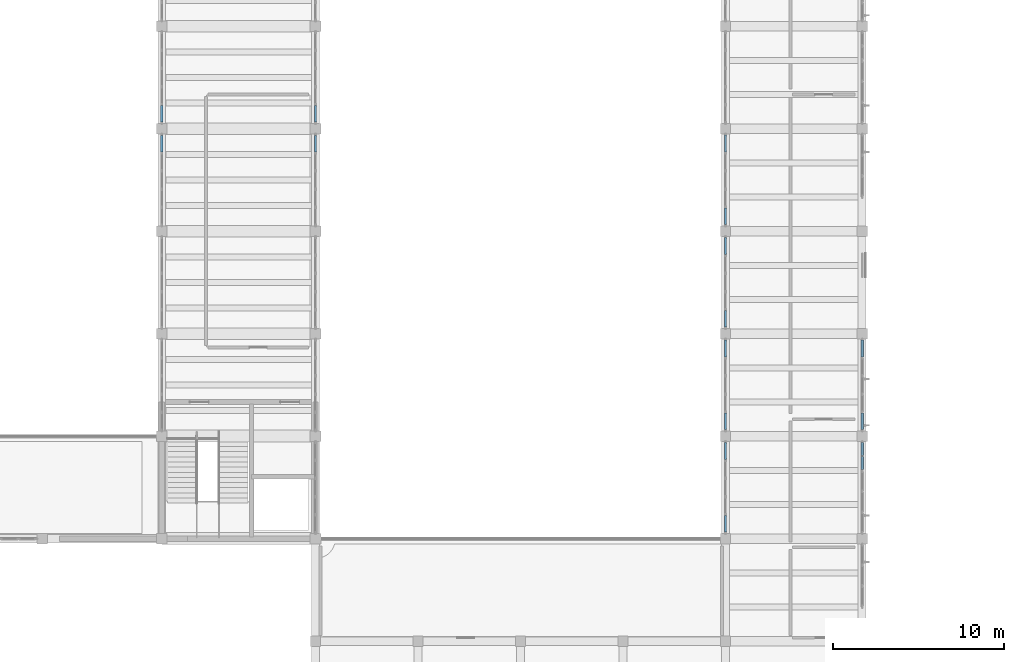
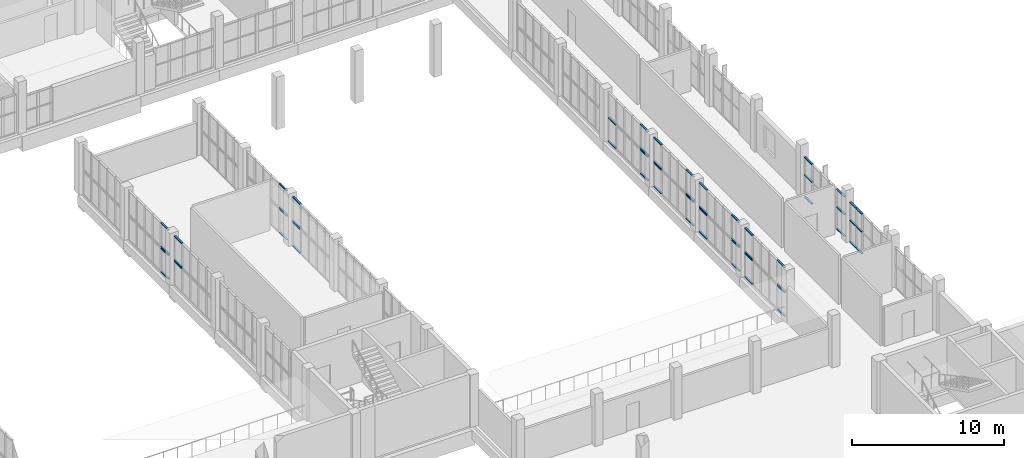
# One storey, part 35 of 85: 57 members, 18 elements without a shape of their own.
"""IFC4 building model written with IfcOpenShell, lengths in metres."""

import ifcopenshell
import ifcopenshell.guid

model = None  # the IFC model being written
_history = None  # IfcOwnerHistory: only IFC2X3 demands one
_inside = {}  # id of a spatial element -> (the spatial element, [elements in it])
_under = {}  # id of a project, library or spatial element -> (it, [spatial elements below it])
_declared = {}  # id of a project -> (the project, [libraries it declares])
_typed = {}  # id of a type object -> (the type object, [elements of that type])
_made_of = {}  # id of a material, layer set ... -> (it, [elements and type objects made of it])


def new_model(schema):
    """Start an empty IFC model of exactly this schema.

    Asked for "IFC4X3", IfcOpenShell would pick the latest addendum, in which some entities
    have other attributes; the version numbers below select the first issue.
    IFC2X3 requires an IfcOwnerHistory on every rooted entity: one is made here for all.
    """
    global model, _history
    if schema == "IFC4X3":
        model = ifcopenshell.file(schema_version=(4, 3, 0, 0))
    else:
        model = ifcopenshell.file(schema=schema)
    _inside.clear()
    _under.clear()
    _declared.clear()
    _typed.clear()
    _made_of.clear()
    _history = None
    if model.schema == "IFC2X3":
        org = make("IfcOrganization", Name="unknown")
        user = make(
            "IfcPersonAndOrganization",
            ThePerson=make("IfcPerson", FamilyName="unknown"),
            TheOrganization=org,
        )
        app = make(
            "IfcApplication",
            ApplicationDeveloper=org,
            Version="unknown",
            ApplicationFullName="unknown",
            ApplicationIdentifier="unknown",
        )
        _history = make(
            "IfcOwnerHistory",
            OwningUser=user,
            OwningApplication=app,
            ChangeAction="ADDED",
            CreationDate=0,
        )
    return model


def make(cls, **values):
    """One entity of the class cls with the attributes given. An attribute that is None is left unset."""
    return model.create_entity(
        cls, **{name: value for name, value in values.items() if value is not None}
    )


def rooted(cls, **values):
    """An entity with a GlobalId (a new one), such as an element, a storey or a relation."""
    return make(cls, GlobalId=ifcopenshell.guid.new(), OwnerHistory=_history, **values)


def si_unit(unit_type, name, prefix=None):
    """IfcSIUnit, for example si_unit("LENGTHUNIT", "METRE", prefix="MILLI")."""
    return make("IfcSIUnit", UnitType=unit_type, Prefix=prefix, Name=name)


def assignment(units):
    """IfcUnitAssignment: the units of a project."""
    return None if units is None else make("IfcUnitAssignment", Units=units)


def point(xyz):
    """IfcCartesianPoint."""
    return None if xyz is None else make("IfcCartesianPoint", Coordinates=xyz)


def direction(xyz):
    """IfcDirection."""
    return None if xyz is None else make("IfcDirection", DirectionRatios=xyz)


def frame(location, z_axis=None, x_axis=None):
    """IfcAxis2Placement3D, a coordinate frame: its origin and axes. An axis left out is left unset."""
    return make(
        "IfcAxis2Placement3D",
        Location=point(location),
        Axis=direction(z_axis),
        RefDirection=direction(x_axis),
    )


def frame_2d(location, x_axis=None):
    """IfcAxis2Placement2D, a coordinate frame in the plane: its origin and x axis."""
    return make(
        "IfcAxis2Placement2D", Location=point(location), RefDirection=direction(x_axis)
    )


def origin():
    """The frame at (0, 0, 0) with its axes left unset."""
    return frame((0.0, 0.0, 0.0))


def origin_2d():
    """The frame at (0, 0) in the plane with its x axis left unset."""
    return frame_2d((0.0, 0.0))


def place(relative_to, where):
    """IfcLocalPlacement: puts the frame where relative to a parent placement (None: the world)."""
    return make(
        "IfcLocalPlacement", PlacementRelTo=relative_to, RelativePlacement=where
    )


def context(
    kind, dimensions, precision=None, world=None, true_north=None, identifier=None
):
    """IfcGeometricRepresentationContext, for example the 3D "Model" context."""
    return make(
        "IfcGeometricRepresentationContext",
        ContextIdentifier=identifier,
        ContextType=kind,
        CoordinateSpaceDimension=dimensions,
        Precision=precision,
        WorldCoordinateSystem=world,
        TrueNorth=true_north,
    )


def subcontext(parent, identifier, kind, view, scale=None):
    """IfcGeometricRepresentationSubContext, for example "Body" below "Model"."""
    return make(
        "IfcGeometricRepresentationSubContext",
        ContextIdentifier=identifier,
        ContextType=kind,
        ParentContext=parent,
        TargetScale=scale,
        TargetView=view,
    )


def project(units=None, contexts=None):
    """IfcProject with its units and contexts."""
    return rooted(
        "IfcProject",
        Name="project",
        RepresentationContexts=contexts,
        UnitsInContext=assignment(units),
    )


def spatial(cls, under=None, at=None, **own):
    """A site, building, storey or space (cls), placed at a placement, below another one or the project."""
    s = rooted(cls, ObjectPlacement=at, **own)
    if under is not None:
        _under.setdefault(under.id(), (under, []))[1].append(s)
    return s


def profile(cls, at=None, kind="AREA", **sizes):
    """A parametric profile (cls). Its sizes go by their IFC names, for example OverallWidth=200.0."""
    return make(cls, ProfileType=kind, Position=at, **sizes)


def rectangle(**sizes):
    """IfcRectangleProfileDef."""
    return profile("IfcRectangleProfileDef", **sizes)


def extrude(swept, where, along, depth):
    """IfcExtrudedAreaSolid: the profile swept, set in the frame where, extruded along a direction by depth."""
    return make(
        "IfcExtrudedAreaSolid",
        SweptArea=swept,
        Position=where,
        ExtrudedDirection=direction(along),
        Depth=depth,
    )


def shape(context_of_items, identifier, shape_type, items):
    """IfcShapeRepresentation: the items that make up one representation, for example the "Body"."""
    return make(
        "IfcShapeRepresentation",
        ContextOfItems=context_of_items,
        RepresentationIdentifier=identifier,
        RepresentationType=shape_type,
        Items=items,
    )


def material(Name=None, Category=None):
    """IfcMaterial."""
    return make("IfcMaterial", Name=Name, Category=Category)


def layer(
    of_material, thickness, ventilated=None, Name=None, Category=None, Priority=None
):
    """IfcMaterialLayer: one layer of a wall or slab, of a material (None: an air gap)."""
    return make(
        "IfcMaterialLayer",
        Material=of_material,
        LayerThickness=thickness,
        IsVentilated=ventilated,
        Name=Name,
        Category=Category,
        Priority=Priority,
    )


def layer_set(layers, Name=None):
    """IfcMaterialLayerSet."""
    return make("IfcMaterialLayerSet", MaterialLayers=layers, LayerSetName=Name)


def material_profile(
    of_material, cross_section, Name=None, Category=None, Priority=None
):
    """IfcMaterialProfile: a cross section and its material."""
    return make(
        "IfcMaterialProfile",
        Name=Name,
        Material=of_material,
        Profile=cross_section,
        Priority=Priority,
        Category=Category,
    )


def profile_set(profiles, Name=None, composite=None):
    """IfcMaterialProfileSet."""
    return make(
        "IfcMaterialProfileSet",
        Name=Name,
        MaterialProfiles=profiles,
        CompositeProfile=composite,
    )


def made_of(thing, what):
    """Note that an element or type object is made of a material, layer set ...; save() writes the relation."""
    if what is not None:
        _made_of.setdefault(what.id(), (what, []))[1].append(thing)
    return thing


def type_object(cls, material=None, **own):
    """A type object (cls), such as IfcWallType, which elements share."""
    return made_of(rooted(cls, **own), material)


def element(
    cls,
    number,
    at=None,
    inside=None,
    cuts=None,
    type_object=None,
    material=None,
    context=None,
    identifier="Body",
    shape_type=None,
    held_by="IfcProductDefinitionShape",
    body=None,
    shapes=None,
    **own,
):
    """One element of the class cls, such as IfcWall. Its Tag is "e" and its number.

    at: its placement. inside: the storey or other place that contains it. cuts: it is an
    opening in that element (IfcRelVoidsElement). A single representation is given by context,
    identifier, shape_type and body (its items); several are given by shapes. held_by: the class
    of the entity that holds the representations. save() writes the other relations.
    """
    e = rooted(cls, Tag="e%d" % number, ObjectPlacement=at, **own)
    if body is not None:
        shapes = [shape(context, identifier, shape_type, body)]
    if shapes is not None:
        e.Representation = make(held_by, Representations=shapes)
    if inside is not None:
        _inside.setdefault(inside.id(), (inside, []))[1].append(e)
    if cuts is not None:
        rooted(
            "IfcRelVoidsElement", RelatingBuildingElement=cuts, RelatedOpeningElement=e
        )
    if type_object is not None:
        _typed.setdefault(type_object.id(), (type_object, []))[1].append(e)
    return made_of(e, material)


def aggregate(whole, parts):
    """IfcRelAggregates: a whole, such as a stair, and the parts it consists of."""
    return rooted("IfcRelAggregates", RelatingObject=whole, RelatedObjects=parts)


def save(model, path):
    """Write the relations noted so far, then the file.

    IfcRelAggregates (storeys below a building ...), IfcRelContainedInSpatialStructure (elements
    in a storey), IfcRelDefinesByType, IfcRelAssociatesMaterial and IfcRelDeclares: one each for
    every whole, place, type object, material and project.
    """
    for whole, parts in _under.values():
        aggregate(whole, parts)
    for where, things in _inside.values():
        rooted(
            "IfcRelContainedInSpatialStructure",
            RelatedElements=things,
            RelatingStructure=where,
        )
    for kind, things in _typed.values():
        rooted("IfcRelDefinesByType", RelatedObjects=things, RelatingType=kind)
    for what, things in _made_of.values():
        rooted("IfcRelAssociatesMaterial", RelatedObjects=things, RelatingMaterial=what)
    for by, libraries in _declared.values():
        rooted("IfcRelDeclares", RelatingContext=by, RelatedDefinitions=libraries)
    model.write(path)


model = new_model("IFC4")

# Units and contexts
model_context = context("Model", 3, precision=1e-05, world=origin(), true_north=direction((0.0, 1.0)))
body_context = subcontext(model_context, "Body", "Model", "MODEL_VIEW")
ifc_project = project(units=[si_unit("LENGTHUNIT", "METRE"), si_unit("AREAUNIT", "SQUARE_METRE"), si_unit("VOLUMEUNIT", "CUBIC_METRE"), si_unit("PLANEANGLEUNIT", "RADIAN"), si_unit("MASSUNIT", "GRAM", prefix="KILO")], contexts=[model_context])

# Site, building, storey
site_placement = place(None, origin())
site = spatial("IfcSite", under=ifc_project, at=site_placement, CompositionType="ELEMENT")
building_placement = place(site_placement, origin())
building = spatial("IfcBuilding", under=site, at=building_placement, Name="Solvane Community Centre", CompositionType="ELEMENT")
storey_placement = place(building_placement, frame((0.0, 0.0, 5.39990234375)))
storey = spatial("IfcBuildingStorey", under=building, at=storey_placement, Name="L01", CompositionType="ELEMENT", Elevation=5.39990234375)

# Curtain wall, members
ifc_material = material(Name="Anodised bronze aluminium AW-6063 T6", Category="aluminium")
ifc_layer_1 = layer(ifc_material, 0.18994140625)
ifc_layer_set_1 = layer_set([ifc_layer_1], Name="Anodised bronze aluminium AW-6063 T6")
curtain_wall_type_1 = type_object("IfcCurtainWallType", Name="Boulevard Bronze Vision Curtain Wall [54x32dm]", PredefinedType="NOTDEFINED", material=ifc_layer_set_1)
curtain_wall_1_placement = place(storey_placement, origin())
curtain_wall_1 = element("IfcCurtainWall", 1, at=curtain_wall_1_placement, inside=storey, type_object=curtain_wall_type_1, Name="Curtain Wall CW-L01-680_537-107", PredefinedType="NOTDEFINED")
ifc_material_profile_1 = material_profile(ifc_material, rectangle(XDim=0.14990234375, YDim=0.06005859375, at=origin_2d()), Name="CW-T 60x150")
ifc_profile_set_1 = profile_set([ifc_material_profile_1], Name="Anodised bronze aluminium AW-6063 T6")
member_type_1 = type_object("IfcMemberType", Name="Boulevard Transom 60x150", PredefinedType="USERDEFINED", material=ifc_profile_set_1)
member_1_placement = place(storey_placement, frame((68.0, 53.6201171875, 0.030029296875), z_axis=(0.0, -1.0, 0.0), x_axis=(1.0, 0.0, 0.0)))
member_1 = element("IfcMember", 2, at=member_1_placement, type_object=member_type_1, Name="CW02-54x32 transom 1.1", ObjectType="TRANSOM", PredefinedType="USERDEFINED", context=body_context, shape_type="SweptSolid", body=[
    extrude(rectangle(XDim=0.14990234375, YDim=0.06005859375, at=origin_2d()), origin(), (0.0, 0.0, 1.0), 0.982177734375),
])
member_2_placement = place(storey_placement, frame((68.0, 53.6201171875, 1.78515625), z_axis=(0.0, -1.0, 0.0), x_axis=(1.0, 0.0, 0.0)))
member_2 = element("IfcMember", 3, at=member_2_placement, type_object=member_type_1, Name="CW02-54x32 transom 1.2", ObjectType="TRANSOM", PredefinedType="USERDEFINED", context=body_context, shape_type="SweptSolid", body=[
    extrude(rectangle(XDim=0.14990234375, YDim=0.06005859375, at=origin_2d()), origin(), (0.0, 0.0, 1.0), 0.982177734375),
])
member_3_placement = place(storey_placement, frame((68.0, 53.6201171875, 3.215087890625), z_axis=(0.0, -1.0, 0.0), x_axis=(1.0, 0.0, 0.0)))
member_3 = element("IfcMember", 4, at=member_3_placement, type_object=member_type_1, Name="CW02-54x32 transom 1.3", ObjectType="TRANSOM", PredefinedType="USERDEFINED", context=body_context, shape_type="SweptSolid", body=[
    extrude(rectangle(XDim=0.14990234375, YDim=0.06005859375, at=origin_2d()), origin(), (0.0, 0.0, 1.0), 0.982177734375),
])
member_4_placement = place(storey_placement, frame((68.0, 49.362060546875, 0.030029296875), z_axis=(0.0, -1.0, 0.0), x_axis=(1.0, 0.0, 0.0)))
member_4 = element("IfcMember", 5, at=member_4_placement, type_object=member_type_1, Name="CW02-54x32 transom 5.1", ObjectType="TRANSOM", PredefinedType="USERDEFINED", context=body_context, shape_type="SweptSolid", body=[
    extrude(rectangle(XDim=0.14990234375, YDim=0.06005859375, at=origin_2d()), origin(), (0.0, 0.0, 1.0), 0.982177734375),
])
member_5_placement = place(storey_placement, frame((68.0, 49.362060546875, 1.78515625), z_axis=(0.0, -1.0, 0.0), x_axis=(1.0, 0.0, 0.0)))
member_5 = element("IfcMember", 6, at=member_5_placement, type_object=member_type_1, Name="CW02-54x32 transom 5.2", ObjectType="TRANSOM", PredefinedType="USERDEFINED", context=body_context, shape_type="SweptSolid", body=[
    extrude(rectangle(XDim=0.14990234375, YDim=0.06005859375, at=origin_2d()), origin(), (0.0, 0.0, 1.0), 0.982177734375),
])
member_6_placement = place(storey_placement, frame((68.0, 49.362060546875, 3.215087890625), z_axis=(0.0, -1.0, 0.0), x_axis=(1.0, 0.0, 0.0)))
member_6 = element("IfcMember", 7, at=member_6_placement, type_object=member_type_1, Name="CW02-54x32 transom 5.3", ObjectType="TRANSOM", PredefinedType="USERDEFINED", context=body_context, shape_type="SweptSolid", body=[
    extrude(rectangle(XDim=0.14990234375, YDim=0.06005859375, at=origin_2d()), origin(), (0.0, 0.0, 1.0), 0.982177734375),
])
aggregate(curtain_wall_1, [member_1, member_2, member_3, member_4, member_5, member_6])

ifc_layer_2 = layer(ifc_material, 0.18994140625)
ifc_layer_set_2 = layer_set([ifc_layer_2], Name="Anodised bronze aluminium AW-6063 T6")
curtain_wall_type_2 = type_object("IfcCurtainWallType", Name="Boulevard Bronze Vision Curtain Wall [17x32dm]", PredefinedType="NOTDEFINED", material=ifc_layer_set_2)
curtain_wall_2_placement = place(storey_placement, origin())
curtain_wall_2 = element("IfcCurtainWall", 8, at=curtain_wall_2_placement, inside=storey, type_object=curtain_wall_type_2, Name="Curtain Wall CW-L01-680_477-108", PredefinedType="NOTDEFINED")
member_7_placement = place(storey_placement, frame((68.0, 47.6201171875, 0.030029296875), z_axis=(0.0, -1.0, 0.0), x_axis=(1.0, 0.0, 0.0)))
member_7 = element("IfcMember", 9, at=member_7_placement, type_object=member_type_1, Name="CW02-17x32 transom 1.1", ObjectType="TRANSOM", PredefinedType="USERDEFINED", context=body_context, shape_type="SweptSolid", body=[
    extrude(rectangle(XDim=0.14990234375, YDim=0.06005859375, at=origin_2d()), origin(), (0.0, 0.0, 1.0), 0.75),
])
member_8_placement = place(storey_placement, frame((68.0, 47.6201171875, 1.78515625), z_axis=(0.0, -1.0, 0.0), x_axis=(1.0, 0.0, 0.0)))
member_8 = element("IfcMember", 10, at=member_8_placement, type_object=member_type_1, Name="CW02-17x32 transom 1.2", ObjectType="TRANSOM", PredefinedType="USERDEFINED", context=body_context, shape_type="SweptSolid", body=[
    extrude(rectangle(XDim=0.14990234375, YDim=0.06005859375, at=origin_2d()), origin(), (0.0, 0.0, 1.0), 0.75),
])
member_9_placement = place(storey_placement, frame((68.0, 47.6201171875, 3.215087890625), z_axis=(0.0, -1.0, 0.0), x_axis=(1.0, 0.0, 0.0)))
member_9 = element("IfcMember", 11, at=member_9_placement, type_object=member_type_1, Name="CW02-17x32 transom 1.3", ObjectType="TRANSOM", PredefinedType="USERDEFINED", context=body_context, shape_type="SweptSolid", body=[
    extrude(rectangle(XDim=0.14990234375, YDim=0.06005859375, at=origin_2d()), origin(), (0.0, 0.0, 1.0), 0.75),
])
member_10_placement = place(storey_placement, frame((68.0, 46.81005859375, 0.030029296875), z_axis=(0.0, -1.0, 0.0), x_axis=(1.0, 0.0, 0.0)))
member_10 = element("IfcMember", 12, at=member_10_placement, type_object=member_type_1, Name="CW02-17x32 transom 2.1", ObjectType="TRANSOM", PredefinedType="USERDEFINED", context=body_context, shape_type="SweptSolid", body=[
    extrude(rectangle(XDim=0.14990234375, YDim=0.06005859375, at=origin_2d()), origin(), (0.0, 0.0, 1.0), 0.75),
])
member_11_placement = place(storey_placement, frame((68.0, 46.81005859375, 1.78515625), z_axis=(0.0, -1.0, 0.0), x_axis=(1.0, 0.0, 0.0)))
member_11 = element("IfcMember", 13, at=member_11_placement, type_object=member_type_1, Name="CW02-17x32 transom 2.2", ObjectType="TRANSOM", PredefinedType="USERDEFINED", context=body_context, shape_type="SweptSolid", body=[
    extrude(rectangle(XDim=0.14990234375, YDim=0.06005859375, at=origin_2d()), origin(), (0.0, 0.0, 1.0), 0.75),
])
member_12_placement = place(storey_placement, frame((68.0, 46.81005859375, 3.215087890625), z_axis=(0.0, -1.0, 0.0), x_axis=(1.0, 0.0, 0.0)))
member_12 = element("IfcMember", 14, at=member_12_placement, type_object=member_type_1, Name="CW02-17x32 transom 2.3", ObjectType="TRANSOM", PredefinedType="USERDEFINED", context=body_context, shape_type="SweptSolid", body=[
    extrude(rectangle(XDim=0.14990234375, YDim=0.06005859375, at=origin_2d()), origin(), (0.0, 0.0, 1.0), 0.75),
])
aggregate(curtain_wall_2, [member_7, member_8, member_9, member_10, member_11, member_12])

ifc_layer_3 = layer(ifc_material, 0.179931640625)
ifc_layer_set_3 = layer_set([ifc_layer_3], Name="Anodised bronze aluminium AW-6063 T6")
curtain_wall_type_3 = type_object("IfcCurtainWallType", Name="Hall Translucent Upper Curtain Wall [54x19dm]", PredefinedType="NOTDEFINED", material=ifc_layer_set_3)
curtain_wall_3_placement = place(storey_placement, origin())
curtain_wall_3 = element("IfcCurtainWall", 15, at=curtain_wall_3_placement, inside=storey, type_object=curtain_wall_type_3, Name="Curtain Wall CW-L01-600_477-033", PredefinedType="NOTDEFINED")
ifc_material_profile_2 = material_profile(ifc_material, rectangle(XDim=0.139892578125, YDim=0.06005859375, at=origin_2d()), Name="CW-T 60x140")
ifc_profile_set_2 = profile_set([ifc_material_profile_2], Name="Anodised bronze aluminium AW-6063 T6")
member_type_2 = type_object("IfcMemberType", Name="Hall Transom 60x140", PredefinedType="USERDEFINED", material=ifc_profile_set_2)
member_13_placement = place(storey_placement, frame((60.0, 47.6201171875, 0.030029296875), z_axis=(0.0, -1.0, 0.0), x_axis=(1.0, 0.0, 0.0)))
member_13 = element("IfcMember", 16, at=member_13_placement, type_object=member_type_2, Name="CW01-54x19 transom 1.1", ObjectType="TRANSOM", PredefinedType="USERDEFINED", context=body_context, shape_type="SweptSolid", body=[
    extrude(rectangle(XDim=0.139892578125, YDim=0.06005859375, at=origin_2d()), origin(), (0.0, 0.0, 1.0), 0.982177734375),
])
member_14_placement = place(storey_placement, frame((60.0, 47.6201171875, 1.920166015625), z_axis=(0.0, -1.0, 0.0), x_axis=(1.0, 0.0, 0.0)))
member_14 = element("IfcMember", 17, at=member_14_placement, type_object=member_type_2, Name="CW01-54x19 transom 1.2", ObjectType="TRANSOM", PredefinedType="USERDEFINED", context=body_context, shape_type="SweptSolid", body=[
    extrude(rectangle(XDim=0.139892578125, YDim=0.06005859375, at=origin_2d()), origin(), (0.0, 0.0, 1.0), 0.982177734375),
])
member_15_placement = place(storey_placement, frame((60.0, 43.362060546875, 0.030029296875), z_axis=(0.0, -1.0, 0.0), x_axis=(1.0, 0.0, 0.0)))
member_15 = element("IfcMember", 18, at=member_15_placement, type_object=member_type_2, Name="CW01-54x19 transom 5.1", ObjectType="TRANSOM", PredefinedType="USERDEFINED", context=body_context, shape_type="SweptSolid", body=[
    extrude(rectangle(XDim=0.139892578125, YDim=0.06005859375, at=origin_2d()), origin(), (0.0, 0.0, 1.0), 0.982177734375),
])
member_16_placement = place(storey_placement, frame((60.0, 43.362060546875, 1.920166015625), z_axis=(0.0, -1.0, 0.0), x_axis=(1.0, 0.0, 0.0)))
member_16 = element("IfcMember", 19, at=member_16_placement, type_object=member_type_2, Name="CW01-54x19 transom 5.2", ObjectType="TRANSOM", PredefinedType="USERDEFINED", context=body_context, shape_type="SweptSolid", body=[
    extrude(rectangle(XDim=0.139892578125, YDim=0.06005859375, at=origin_2d()), origin(), (0.0, 0.0, 1.0), 0.982177734375),
])
aggregate(curtain_wall_3, [member_13, member_14, member_15, member_16])

ifc_layer_4 = layer(ifc_material, 0.179931640625)
ifc_layer_set_4 = layer_set([ifc_layer_4], Name="Anodised bronze aluminium AW-6063 T6")
curtain_wall_type_4 = type_object("IfcCurtainWallType", Name="Hall Translucent Upper Curtain Wall [54x20dm]", PredefinedType="NOTDEFINED", material=ifc_layer_set_4)
curtain_wall_4_placement = place(storey_placement, origin())
curtain_wall_4 = element("IfcCurtainWall", 20, at=curtain_wall_4_placement, inside=storey, type_object=curtain_wall_type_4, Name="Curtain Wall CW-L01-600_477-034", PredefinedType="NOTDEFINED")
member_17_placement = place(storey_placement, frame((60.0, 47.6201171875, 2.050048828125), z_axis=(0.0, -1.0, 0.0), x_axis=(1.0, 0.0, 0.0)))
member_17 = element("IfcMember", 21, at=member_17_placement, type_object=member_type_2, Name="CW01-54x20 transom 1.1", ObjectType="TRANSOM", PredefinedType="USERDEFINED", context=body_context, shape_type="SweptSolid", body=[
    extrude(rectangle(XDim=0.139892578125, YDim=0.06005859375, at=origin_2d()), origin(), (0.0, 0.0, 1.0), 0.982177734375),
])
member_18_placement = place(storey_placement, frame((60.0, 47.6201171875, 3.9501953125), z_axis=(0.0, -1.0, 0.0), x_axis=(1.0, 0.0, 0.0)))
member_18 = element("IfcMember", 22, at=member_18_placement, type_object=member_type_2, Name="CW01-54x20 transom 1.2", ObjectType="TRANSOM", PredefinedType="USERDEFINED", context=body_context, shape_type="SweptSolid", body=[
    extrude(rectangle(XDim=0.139892578125, YDim=0.06005859375, at=origin_2d()), origin(), (0.0, 0.0, 1.0), 0.982177734375),
])
member_19_placement = place(storey_placement, frame((60.0, 43.362060546875, 2.050048828125), z_axis=(0.0, -1.0, 0.0), x_axis=(1.0, 0.0, 0.0)))
member_19 = element("IfcMember", 23, at=member_19_placement, type_object=member_type_2, Name="CW01-54x20 transom 5.1", ObjectType="TRANSOM", PredefinedType="USERDEFINED", context=body_context, shape_type="SweptSolid", body=[
    extrude(rectangle(XDim=0.139892578125, YDim=0.06005859375, at=origin_2d()), origin(), (0.0, 0.0, 1.0), 0.982177734375),
])
member_20_placement = place(storey_placement, frame((60.0, 43.362060546875, 3.9501953125), z_axis=(0.0, -1.0, 0.0), x_axis=(1.0, 0.0, 0.0)))
member_20 = element("IfcMember", 24, at=member_20_placement, type_object=member_type_2, Name="CW01-54x20 transom 5.2", ObjectType="TRANSOM", PredefinedType="USERDEFINED", context=body_context, shape_type="SweptSolid", body=[
    extrude(rectangle(XDim=0.139892578125, YDim=0.06005859375, at=origin_2d()), origin(), (0.0, 0.0, 1.0), 0.982177734375),
])
aggregate(curtain_wall_4, [member_17, member_18, member_19, member_20])

curtain_wall_5_placement = place(storey_placement, origin())
curtain_wall_5 = element("IfcCurtainWall", 25, at=curtain_wall_5_placement, inside=storey, type_object=curtain_wall_type_3, Name="Curtain Wall CW-L01-600_537-037", PredefinedType="NOTDEFINED")
member_21_placement = place(storey_placement, frame((60.0, 53.6201171875, 0.030029296875), z_axis=(0.0, -1.0, 0.0), x_axis=(1.0, 0.0, 0.0)))
member_21 = element("IfcMember", 26, at=member_21_placement, type_object=member_type_2, Name="CW01-54x19 transom 1.1", ObjectType="TRANSOM", PredefinedType="USERDEFINED", context=body_context, shape_type="SweptSolid", body=[
    extrude(rectangle(XDim=0.139892578125, YDim=0.06005859375, at=origin_2d()), origin(), (0.0, 0.0, 1.0), 0.982177734375),
])
member_22_placement = place(storey_placement, frame((60.0, 53.6201171875, 1.920166015625), z_axis=(0.0, -1.0, 0.0), x_axis=(1.0, 0.0, 0.0)))
member_22 = element("IfcMember", 27, at=member_22_placement, type_object=member_type_2, Name="CW01-54x19 transom 1.2", ObjectType="TRANSOM", PredefinedType="USERDEFINED", context=body_context, shape_type="SweptSolid", body=[
    extrude(rectangle(XDim=0.139892578125, YDim=0.06005859375, at=origin_2d()), origin(), (0.0, 0.0, 1.0), 0.982177734375),
])
member_23_placement = place(storey_placement, frame((60.0, 49.362060546875, 0.030029296875), z_axis=(0.0, -1.0, 0.0), x_axis=(1.0, 0.0, 0.0)))
member_23 = element("IfcMember", 28, at=member_23_placement, type_object=member_type_2, Name="CW01-54x19 transom 5.1", ObjectType="TRANSOM", PredefinedType="USERDEFINED", context=body_context, shape_type="SweptSolid", body=[
    extrude(rectangle(XDim=0.139892578125, YDim=0.06005859375, at=origin_2d()), origin(), (0.0, 0.0, 1.0), 0.982177734375),
])
member_24_placement = place(storey_placement, frame((60.0, 49.362060546875, 1.920166015625), z_axis=(0.0, -1.0, 0.0), x_axis=(1.0, 0.0, 0.0)))
member_24 = element("IfcMember", 29, at=member_24_placement, type_object=member_type_2, Name="CW01-54x19 transom 5.2", ObjectType="TRANSOM", PredefinedType="USERDEFINED", context=body_context, shape_type="SweptSolid", body=[
    extrude(rectangle(XDim=0.139892578125, YDim=0.06005859375, at=origin_2d()), origin(), (0.0, 0.0, 1.0), 0.982177734375),
])
aggregate(curtain_wall_5, [member_21, member_22, member_23, member_24])

curtain_wall_6_placement = place(storey_placement, origin())
curtain_wall_6 = element("IfcCurtainWall", 30, at=curtain_wall_6_placement, inside=storey, type_object=curtain_wall_type_4, Name="Curtain Wall CW-L01-600_537-038", PredefinedType="NOTDEFINED")
member_25_placement = place(storey_placement, frame((60.0, 53.6201171875, 2.050048828125), z_axis=(0.0, -1.0, 0.0), x_axis=(1.0, 0.0, 0.0)))
member_25 = element("IfcMember", 31, at=member_25_placement, type_object=member_type_2, Name="CW01-54x20 transom 1.1", ObjectType="TRANSOM", PredefinedType="USERDEFINED", context=body_context, shape_type="SweptSolid", body=[
    extrude(rectangle(XDim=0.139892578125, YDim=0.06005859375, at=origin_2d()), origin(), (0.0, 0.0, 1.0), 0.982177734375),
])
member_26_placement = place(storey_placement, frame((60.0, 53.6201171875, 3.9501953125), z_axis=(0.0, -1.0, 0.0), x_axis=(1.0, 0.0, 0.0)))
member_26 = element("IfcMember", 32, at=member_26_placement, type_object=member_type_2, Name="CW01-54x20 transom 1.2", ObjectType="TRANSOM", PredefinedType="USERDEFINED", context=body_context, shape_type="SweptSolid", body=[
    extrude(rectangle(XDim=0.139892578125, YDim=0.06005859375, at=origin_2d()), origin(), (0.0, 0.0, 1.0), 0.982177734375),
])
member_27_placement = place(storey_placement, frame((60.0, 49.362060546875, 2.050048828125), z_axis=(0.0, -1.0, 0.0), x_axis=(1.0, 0.0, 0.0)))
member_27 = element("IfcMember", 33, at=member_27_placement, type_object=member_type_2, Name="CW01-54x20 transom 5.1", ObjectType="TRANSOM", PredefinedType="USERDEFINED", context=body_context, shape_type="SweptSolid", body=[
    extrude(rectangle(XDim=0.139892578125, YDim=0.06005859375, at=origin_2d()), origin(), (0.0, 0.0, 1.0), 0.982177734375),
])
member_28_placement = place(storey_placement, frame((60.0, 49.362060546875, 3.9501953125), z_axis=(0.0, -1.0, 0.0), x_axis=(1.0, 0.0, 0.0)))
member_28 = element("IfcMember", 34, at=member_28_placement, type_object=member_type_2, Name="CW01-54x20 transom 5.2", ObjectType="TRANSOM", PredefinedType="USERDEFINED", context=body_context, shape_type="SweptSolid", body=[
    extrude(rectangle(XDim=0.139892578125, YDim=0.06005859375, at=origin_2d()), origin(), (0.0, 0.0, 1.0), 0.982177734375),
])
aggregate(curtain_wall_6, [member_25, member_26, member_27, member_28])

curtain_wall_7_placement = place(storey_placement, origin())
curtain_wall_7 = element("IfcCurtainWall", 35, at=curtain_wall_7_placement, inside=storey, type_object=curtain_wall_type_3, Name="Curtain Wall CW-L01-600_597-045", PredefinedType="NOTDEFINED")
member_29_placement = place(storey_placement, frame((60.0, 59.6201171875, 0.030029296875), z_axis=(0.0, -1.0, 0.0), x_axis=(1.0, 0.0, 0.0)))
member_29 = element("IfcMember", 36, at=member_29_placement, type_object=member_type_2, Name="CW01-54x19 transom 1.1", ObjectType="TRANSOM", PredefinedType="USERDEFINED", context=body_context, shape_type="SweptSolid", body=[
    extrude(rectangle(XDim=0.139892578125, YDim=0.06005859375, at=origin_2d()), origin(), (0.0, 0.0, 1.0), 0.982177734375),
])
member_30_placement = place(storey_placement, frame((60.0, 59.6201171875, 1.920166015625), z_axis=(0.0, -1.0, 0.0), x_axis=(1.0, 0.0, 0.0)))
member_30 = element("IfcMember", 37, at=member_30_placement, type_object=member_type_2, Name="CW01-54x19 transom 1.2", ObjectType="TRANSOM", PredefinedType="USERDEFINED", context=body_context, shape_type="SweptSolid", body=[
    extrude(rectangle(XDim=0.139892578125, YDim=0.06005859375, at=origin_2d()), origin(), (0.0, 0.0, 1.0), 0.982177734375),
])
member_31_placement = place(storey_placement, frame((60.0, 55.362060546875, 0.030029296875), z_axis=(0.0, -1.0, 0.0), x_axis=(1.0, 0.0, 0.0)))
member_31 = element("IfcMember", 38, at=member_31_placement, type_object=member_type_2, Name="CW01-54x19 transom 5.1", ObjectType="TRANSOM", PredefinedType="USERDEFINED", context=body_context, shape_type="SweptSolid", body=[
    extrude(rectangle(XDim=0.139892578125, YDim=0.06005859375, at=origin_2d()), origin(), (0.0, 0.0, 1.0), 0.982177734375),
])
member_32_placement = place(storey_placement, frame((60.0, 55.362060546875, 1.920166015625), z_axis=(0.0, -1.0, 0.0), x_axis=(1.0, 0.0, 0.0)))
member_32 = element("IfcMember", 39, at=member_32_placement, type_object=member_type_2, Name="CW01-54x19 transom 5.2", ObjectType="TRANSOM", PredefinedType="USERDEFINED", context=body_context, shape_type="SweptSolid", body=[
    extrude(rectangle(XDim=0.139892578125, YDim=0.06005859375, at=origin_2d()), origin(), (0.0, 0.0, 1.0), 0.982177734375),
])
aggregate(curtain_wall_7, [member_29, member_30, member_31, member_32])

curtain_wall_8_placement = place(storey_placement, origin())
curtain_wall_8 = element("IfcCurtainWall", 40, at=curtain_wall_8_placement, inside=storey, type_object=curtain_wall_type_4, Name="Curtain Wall CW-L01-600_597-046", PredefinedType="NOTDEFINED")
member_33_placement = place(storey_placement, frame((60.0, 59.6201171875, 2.050048828125), z_axis=(0.0, -1.0, 0.0), x_axis=(1.0, 0.0, 0.0)))
member_33 = element("IfcMember", 41, at=member_33_placement, type_object=member_type_2, Name="CW01-54x20 transom 1.1", ObjectType="TRANSOM", PredefinedType="USERDEFINED", context=body_context, shape_type="SweptSolid", body=[
    extrude(rectangle(XDim=0.139892578125, YDim=0.06005859375, at=origin_2d()), origin(), (0.0, 0.0, 1.0), 0.982177734375),
])
member_34_placement = place(storey_placement, frame((60.0, 59.6201171875, 3.9501953125), z_axis=(0.0, -1.0, 0.0), x_axis=(1.0, 0.0, 0.0)))
member_34 = element("IfcMember", 42, at=member_34_placement, type_object=member_type_2, Name="CW01-54x20 transom 1.2", ObjectType="TRANSOM", PredefinedType="USERDEFINED", context=body_context, shape_type="SweptSolid", body=[
    extrude(rectangle(XDim=0.139892578125, YDim=0.06005859375, at=origin_2d()), origin(), (0.0, 0.0, 1.0), 0.982177734375),
])
member_35_placement = place(storey_placement, frame((60.0, 55.362060546875, 2.050048828125), z_axis=(0.0, -1.0, 0.0), x_axis=(1.0, 0.0, 0.0)))
member_35 = element("IfcMember", 43, at=member_35_placement, type_object=member_type_2, Name="CW01-54x20 transom 5.1", ObjectType="TRANSOM", PredefinedType="USERDEFINED", context=body_context, shape_type="SweptSolid", body=[
    extrude(rectangle(XDim=0.139892578125, YDim=0.06005859375, at=origin_2d()), origin(), (0.0, 0.0, 1.0), 0.982177734375),
])
member_36_placement = place(storey_placement, frame((60.0, 55.362060546875, 3.9501953125), z_axis=(0.0, -1.0, 0.0), x_axis=(1.0, 0.0, 0.0)))
member_36 = element("IfcMember", 44, at=member_36_placement, type_object=member_type_2, Name="CW01-54x20 transom 5.2", ObjectType="TRANSOM", PredefinedType="USERDEFINED", context=body_context, shape_type="SweptSolid", body=[
    extrude(rectangle(XDim=0.139892578125, YDim=0.06005859375, at=origin_2d()), origin(), (0.0, 0.0, 1.0), 0.982177734375),
])
aggregate(curtain_wall_8, [member_33, member_34, member_35, member_36])

ifc_layer_5 = layer(ifc_material, 0.179931640625)
ifc_layer_set_5 = layer_set([ifc_layer_5], Name="Anodised bronze aluminium AW-6063 T6")
curtain_wall_type_5 = type_object("IfcCurtainWallType", Name="Hall Translucent Upper Curtain Wall [53x19dm]", PredefinedType="NOTDEFINED", material=ifc_layer_set_5)
curtain_wall_9_placement = place(storey_placement, origin())
curtain_wall_9 = element("IfcCurtainWall", 45, at=curtain_wall_9_placement, inside=storey, type_object=curtain_wall_type_5, Name="Curtain Wall CW-L01-360_603-049", PredefinedType="NOTDEFINED")
member_37_placement = place(storey_placement, frame((36.0, 64.632080078125, 0.030029296875), z_axis=(0.0, 1.0, 0.0), x_axis=(-1.0, 0.0, 0.0)))
member_37 = element("IfcMember", 46, at=member_37_placement, type_object=member_type_2, Name="CW01-53x19 transom 5.1", ObjectType="TRANSOM", PredefinedType="USERDEFINED", context=body_context, shape_type="SweptSolid", body=[
    extrude(rectangle(XDim=0.139892578125, YDim=0.06005859375, at=origin_2d()), origin(), (0.0, 0.0, 1.0), 0.97802734375),
])
member_38_placement = place(storey_placement, frame((36.0, 64.632080078125, 1.920166015625), z_axis=(0.0, 1.0, 0.0), x_axis=(-1.0, 0.0, 0.0)))
member_38 = element("IfcMember", 47, at=member_38_placement, type_object=member_type_2, Name="CW01-53x19 transom 5.2", ObjectType="TRANSOM", PredefinedType="USERDEFINED", context=body_context, shape_type="SweptSolid", body=[
    extrude(rectangle(XDim=0.139892578125, YDim=0.06005859375, at=origin_2d()), origin(), (0.0, 0.0, 1.0), 0.97802734375),
])
aggregate(curtain_wall_9, [member_37, member_38])

ifc_layer_6 = layer(ifc_material, 0.179931640625)
ifc_layer_set_6 = layer_set([ifc_layer_6], Name="Anodised bronze aluminium AW-6063 T6")
curtain_wall_type_6 = type_object("IfcCurtainWallType", Name="Hall Translucent Upper Curtain Wall [53x20dm]", PredefinedType="NOTDEFINED", material=ifc_layer_set_6)
curtain_wall_10_placement = place(storey_placement, origin())
curtain_wall_10 = element("IfcCurtainWall", 48, at=curtain_wall_10_placement, inside=storey, type_object=curtain_wall_type_6, Name="Curtain Wall CW-L01-360_603-050", PredefinedType="NOTDEFINED")
member_39_placement = place(storey_placement, frame((36.0, 64.632080078125, 2.050048828125), z_axis=(0.0, 1.0, 0.0), x_axis=(-1.0, 0.0, 0.0)))
member_39 = element("IfcMember", 49, at=member_39_placement, type_object=member_type_2, Name="CW01-53x20 transom 5.1", ObjectType="TRANSOM", PredefinedType="USERDEFINED", context=body_context, shape_type="SweptSolid", body=[
    extrude(rectangle(XDim=0.139892578125, YDim=0.06005859375, at=origin_2d()), origin(), (0.0, 0.0, 1.0), 0.97802734375),
])
member_40_placement = place(storey_placement, frame((36.0, 64.632080078125, 3.9501953125), z_axis=(0.0, 1.0, 0.0), x_axis=(-1.0, 0.0, 0.0)))
member_40 = element("IfcMember", 50, at=member_40_placement, type_object=member_type_2, Name="CW01-53x20 transom 5.2", ObjectType="TRANSOM", PredefinedType="USERDEFINED", context=body_context, shape_type="SweptSolid", body=[
    extrude(rectangle(XDim=0.139892578125, YDim=0.06005859375, at=origin_2d()), origin(), (0.0, 0.0, 1.0), 0.97802734375),
])
aggregate(curtain_wall_10, [member_39, member_40])

curtain_wall_11_placement = place(storey_placement, origin())
curtain_wall_11 = element("IfcCurtainWall", 51, at=curtain_wall_11_placement, inside=storey, type_object=curtain_wall_type_3, Name="Curtain Wall CW-L01-600_657-051", PredefinedType="NOTDEFINED")
member_41_placement = place(storey_placement, frame((60.0, 65.6201171875, 0.030029296875), z_axis=(0.0, -1.0, 0.0), x_axis=(1.0, 0.0, 0.0)))
member_41 = element("IfcMember", 52, at=member_41_placement, type_object=member_type_2, Name="CW01-54x19 transom 1.1", ObjectType="TRANSOM", PredefinedType="USERDEFINED", context=body_context, shape_type="SweptSolid", body=[
    extrude(rectangle(XDim=0.139892578125, YDim=0.06005859375, at=origin_2d()), origin(), (0.0, 0.0, 1.0), 0.982177734375),
])
member_42_placement = place(storey_placement, frame((60.0, 65.6201171875, 1.920166015625), z_axis=(0.0, -1.0, 0.0), x_axis=(1.0, 0.0, 0.0)))
member_42 = element("IfcMember", 53, at=member_42_placement, type_object=member_type_2, Name="CW01-54x19 transom 1.2", ObjectType="TRANSOM", PredefinedType="USERDEFINED", context=body_context, shape_type="SweptSolid", body=[
    extrude(rectangle(XDim=0.139892578125, YDim=0.06005859375, at=origin_2d()), origin(), (0.0, 0.0, 1.0), 0.982177734375),
])
member_43_placement = place(storey_placement, frame((60.0, 61.362060546875, 0.030029296875), z_axis=(0.0, -1.0, 0.0), x_axis=(1.0, 0.0, 0.0)))
member_43 = element("IfcMember", 54, at=member_43_placement, type_object=member_type_2, Name="CW01-54x19 transom 5.1", ObjectType="TRANSOM", PredefinedType="USERDEFINED", context=body_context, shape_type="SweptSolid", body=[
    extrude(rectangle(XDim=0.139892578125, YDim=0.06005859375, at=origin_2d()), origin(), (0.0, 0.0, 1.0), 0.982177734375),
])
member_44_placement = place(storey_placement, frame((60.0, 61.362060546875, 1.920166015625), z_axis=(0.0, -1.0, 0.0), x_axis=(1.0, 0.0, 0.0)))
member_44 = element("IfcMember", 55, at=member_44_placement, type_object=member_type_2, Name="CW01-54x19 transom 5.2", ObjectType="TRANSOM", PredefinedType="USERDEFINED", context=body_context, shape_type="SweptSolid", body=[
    extrude(rectangle(XDim=0.139892578125, YDim=0.06005859375, at=origin_2d()), origin(), (0.0, 0.0, 1.0), 0.982177734375),
])
aggregate(curtain_wall_11, [member_41, member_42, member_43, member_44])

curtain_wall_12_placement = place(storey_placement, origin())
curtain_wall_12 = element("IfcCurtainWall", 56, at=curtain_wall_12_placement, inside=storey, type_object=curtain_wall_type_4, Name="Curtain Wall CW-L01-600_657-052", PredefinedType="NOTDEFINED")
member_45_placement = place(storey_placement, frame((60.0, 61.362060546875, 2.050048828125), z_axis=(0.0, -1.0, 0.0), x_axis=(1.0, 0.0, 0.0)))
member_45 = element("IfcMember", 57, at=member_45_placement, type_object=member_type_2, Name="CW01-54x20 transom 5.1", ObjectType="TRANSOM", PredefinedType="USERDEFINED", context=body_context, shape_type="SweptSolid", body=[
    extrude(rectangle(XDim=0.139892578125, YDim=0.06005859375, at=origin_2d()), origin(), (0.0, 0.0, 1.0), 0.982177734375),
])
member_46_placement = place(storey_placement, frame((60.0, 61.362060546875, 3.9501953125), z_axis=(0.0, -1.0, 0.0), x_axis=(1.0, 0.0, 0.0)))
member_46 = element("IfcMember", 58, at=member_46_placement, type_object=member_type_2, Name="CW01-54x20 transom 5.2", ObjectType="TRANSOM", PredefinedType="USERDEFINED", context=body_context, shape_type="SweptSolid", body=[
    extrude(rectangle(XDim=0.139892578125, YDim=0.06005859375, at=origin_2d()), origin(), (0.0, 0.0, 1.0), 0.982177734375),
])
aggregate(curtain_wall_12, [member_45, member_46])

# Curtain wall, member
curtain_wall_13_placement = place(storey_placement, origin())
curtain_wall_13 = element("IfcCurtainWall", 59, at=curtain_wall_13_placement, inside=storey, type_object=curtain_wall_type_5, Name="Curtain Wall CW-L01-270_657-055", PredefinedType="NOTDEFINED")
member_47_placement = place(storey_placement, frame((27.0, 65.610107421875, 1.920166015625), z_axis=(0.0, -1.0, 0.0), x_axis=(1.0, 0.0, 0.0)))
member_47 = element("IfcMember", 60, at=member_47_placement, type_object=member_type_2, Name="CW01-53x19 transom 1.2", ObjectType="TRANSOM", PredefinedType="USERDEFINED", context=body_context, shape_type="SweptSolid", body=[
    extrude(rectangle(XDim=0.139892578125, YDim=0.06005859375, at=origin_2d()), origin(), (0.0, 0.0, 1.0), 0.97802734375),
])
aggregate(curtain_wall_13, [member_47])

# Curtain wall, members
curtain_wall_14_placement = place(storey_placement, origin())
curtain_wall_14 = element("IfcCurtainWall", 61, at=curtain_wall_14_placement, inside=storey, type_object=curtain_wall_type_6, Name="Curtain Wall CW-L01-270_657-056", PredefinedType="NOTDEFINED")
member_48_placement = place(storey_placement, frame((27.0, 65.610107421875, 2.050048828125), z_axis=(0.0, -1.0, 0.0), x_axis=(1.0, 0.0, 0.0)))
member_48 = element("IfcMember", 62, at=member_48_placement, type_object=member_type_2, Name="CW01-53x20 transom 1.1", ObjectType="TRANSOM", PredefinedType="USERDEFINED", context=body_context, shape_type="SweptSolid", body=[
    extrude(rectangle(XDim=0.139892578125, YDim=0.06005859375, at=origin_2d()), origin(), (0.0, 0.0, 1.0), 0.97802734375),
])
member_49_placement = place(storey_placement, frame((27.0, 65.610107421875, 3.9501953125), z_axis=(0.0, -1.0, 0.0), x_axis=(1.0, 0.0, 0.0)))
member_49 = element("IfcMember", 63, at=member_49_placement, type_object=member_type_2, Name="CW01-53x20 transom 1.2", ObjectType="TRANSOM", PredefinedType="USERDEFINED", context=body_context, shape_type="SweptSolid", body=[
    extrude(rectangle(XDim=0.139892578125, YDim=0.06005859375, at=origin_2d()), origin(), (0.0, 0.0, 1.0), 0.97802734375),
])
aggregate(curtain_wall_14, [member_48, member_49])

curtain_wall_15_placement = place(storey_placement, origin())
curtain_wall_15 = element("IfcCurtainWall", 64, at=curtain_wall_15_placement, inside=storey, type_object=curtain_wall_type_5, Name="Curtain Wall CW-L01-360_663-057", PredefinedType="NOTDEFINED")
member_50_placement = place(storey_placement, frame((36.0, 66.389892578125, 0.030029296875), z_axis=(0.0, 1.0, 0.0), x_axis=(-1.0, 0.0, 0.0)))
member_50 = element("IfcMember", 65, at=member_50_placement, type_object=member_type_2, Name="CW01-53x19 transom 1.1", ObjectType="TRANSOM", PredefinedType="USERDEFINED", context=body_context, shape_type="SweptSolid", body=[
    extrude(rectangle(XDim=0.139892578125, YDim=0.06005859375, at=origin_2d()), origin(), (0.0, 0.0, 1.0), 0.97802734375),
])
member_51_placement = place(storey_placement, frame((36.0, 66.389892578125, 1.920166015625), z_axis=(0.0, 1.0, 0.0), x_axis=(-1.0, 0.0, 0.0)))
member_51 = element("IfcMember", 66, at=member_51_placement, type_object=member_type_2, Name="CW01-53x19 transom 1.2", ObjectType="TRANSOM", PredefinedType="USERDEFINED", context=body_context, shape_type="SweptSolid", body=[
    extrude(rectangle(XDim=0.139892578125, YDim=0.06005859375, at=origin_2d()), origin(), (0.0, 0.0, 1.0), 0.97802734375),
])
aggregate(curtain_wall_15, [member_50, member_51])

curtain_wall_16_placement = place(storey_placement, origin())
curtain_wall_16 = element("IfcCurtainWall", 67, at=curtain_wall_16_placement, inside=storey, type_object=curtain_wall_type_6, Name="Curtain Wall CW-L01-360_663-058", PredefinedType="NOTDEFINED")
member_52_placement = place(storey_placement, frame((36.0, 66.389892578125, 2.050048828125), z_axis=(0.0, 1.0, 0.0), x_axis=(-1.0, 0.0, 0.0)))
member_52 = element("IfcMember", 68, at=member_52_placement, type_object=member_type_2, Name="CW01-53x20 transom 1.1", ObjectType="TRANSOM", PredefinedType="USERDEFINED", context=body_context, shape_type="SweptSolid", body=[
    extrude(rectangle(XDim=0.139892578125, YDim=0.06005859375, at=origin_2d()), origin(), (0.0, 0.0, 1.0), 0.97802734375),
])
member_53_placement = place(storey_placement, frame((36.0, 66.389892578125, 3.9501953125), z_axis=(0.0, 1.0, 0.0), x_axis=(-1.0, 0.0, 0.0)))
member_53 = element("IfcMember", 69, at=member_53_placement, type_object=member_type_2, Name="CW01-53x20 transom 1.2", ObjectType="TRANSOM", PredefinedType="USERDEFINED", context=body_context, shape_type="SweptSolid", body=[
    extrude(rectangle(XDim=0.139892578125, YDim=0.06005859375, at=origin_2d()), origin(), (0.0, 0.0, 1.0), 0.97802734375),
])
aggregate(curtain_wall_16, [member_52, member_53])

curtain_wall_17_placement = place(storey_placement, origin())
curtain_wall_17 = element("IfcCurtainWall", 70, at=curtain_wall_17_placement, inside=storey, type_object=curtain_wall_type_5, Name="Curtain Wall CW-L01-270_717-063", PredefinedType="NOTDEFINED")
member_54_placement = place(storey_placement, frame((27.0, 67.367919921875, 0.030029296875), z_axis=(0.0, -1.0, 0.0), x_axis=(1.0, 0.0, 0.0)))
member_54 = element("IfcMember", 71, at=member_54_placement, type_object=member_type_2, Name="CW01-53x19 transom 5.1", ObjectType="TRANSOM", PredefinedType="USERDEFINED", context=body_context, shape_type="SweptSolid", body=[
    extrude(rectangle(XDim=0.139892578125, YDim=0.06005859375, at=origin_2d()), origin(), (0.0, 0.0, 1.0), 0.97802734375),
])
member_55_placement = place(storey_placement, frame((27.0, 67.367919921875, 1.920166015625), z_axis=(0.0, -1.0, 0.0), x_axis=(1.0, 0.0, 0.0)))
member_55 = element("IfcMember", 72, at=member_55_placement, type_object=member_type_2, Name="CW01-53x19 transom 5.2", ObjectType="TRANSOM", PredefinedType="USERDEFINED", context=body_context, shape_type="SweptSolid", body=[
    extrude(rectangle(XDim=0.139892578125, YDim=0.06005859375, at=origin_2d()), origin(), (0.0, 0.0, 1.0), 0.97802734375),
])
aggregate(curtain_wall_17, [member_54, member_55])

curtain_wall_18_placement = place(storey_placement, origin())
curtain_wall_18 = element("IfcCurtainWall", 73, at=curtain_wall_18_placement, inside=storey, type_object=curtain_wall_type_6, Name="Curtain Wall CW-L01-270_717-064", PredefinedType="NOTDEFINED")
member_56_placement = place(storey_placement, frame((27.0, 67.367919921875, 2.050048828125), z_axis=(0.0, -1.0, 0.0), x_axis=(1.0, 0.0, 0.0)))
member_56 = element("IfcMember", 74, at=member_56_placement, type_object=member_type_2, Name="CW01-53x20 transom 5.1", ObjectType="TRANSOM", PredefinedType="USERDEFINED", context=body_context, shape_type="SweptSolid", body=[
    extrude(rectangle(XDim=0.139892578125, YDim=0.06005859375, at=origin_2d()), origin(), (0.0, 0.0, 1.0), 0.97802734375),
])
member_57_placement = place(storey_placement, frame((27.0, 67.367919921875, 3.9501953125), z_axis=(0.0, -1.0, 0.0), x_axis=(1.0, 0.0, 0.0)))
member_57 = element("IfcMember", 75, at=member_57_placement, type_object=member_type_2, Name="CW01-53x20 transom 5.2", ObjectType="TRANSOM", PredefinedType="USERDEFINED", context=body_context, shape_type="SweptSolid", body=[
    extrude(rectangle(XDim=0.139892578125, YDim=0.06005859375, at=origin_2d()), origin(), (0.0, 0.0, 1.0), 0.97802734375),
])
aggregate(curtain_wall_18, [member_56, member_57])

save(model, "model.ifc")
